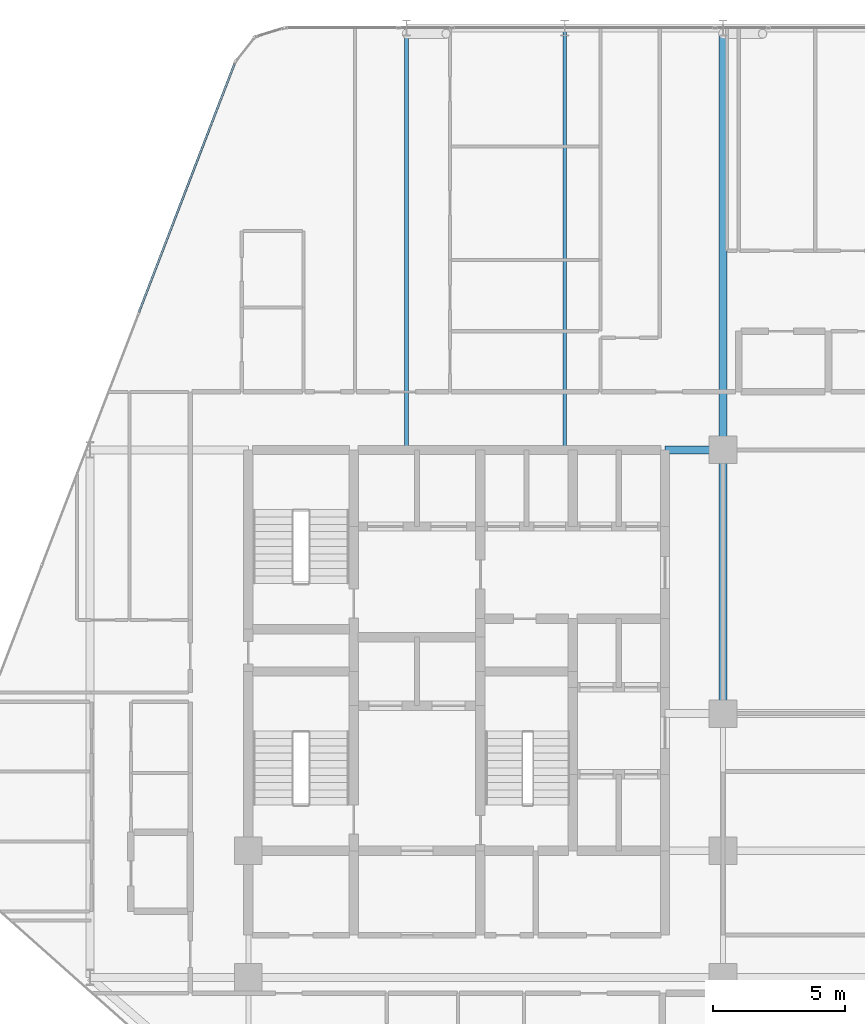
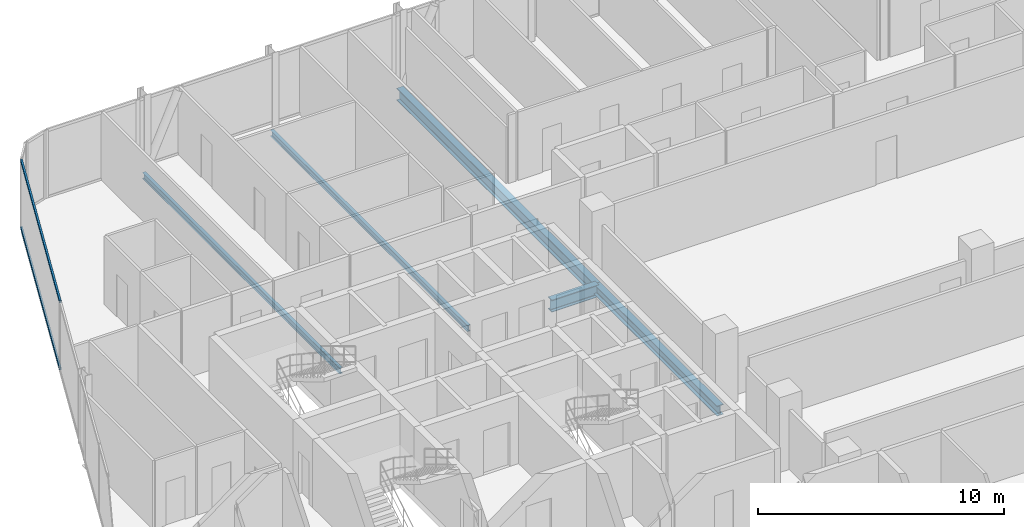
# One storey, part 15 of 30: 5 beams, 2 members, 1 element without a shape of its own.
"""IFC4 building model written with IfcOpenShell, lengths in metres."""

from ifc_helpers import new_model, si_unit, direction, frame, origin, origin_2d, place, context, subcontext, project, spatial, hollow_rectangle, i_section, extrude, material, layer, layer_set, material_profile, profile_set, type_object, element, aggregate, save


model = new_model("IFC4")

# Units and contexts
model_context = context("Model", 3, precision=1e-05, world=origin(), true_north=direction((0.0, 1.0)))
body_context = subcontext(model_context, "Body", "Model", "MODEL_VIEW")
ifc_project = project(units=[si_unit("LENGTHUNIT", "METRE"), si_unit("AREAUNIT", "SQUARE_METRE"), si_unit("VOLUMEUNIT", "CUBIC_METRE"), si_unit("PLANEANGLEUNIT", "RADIAN"), si_unit("MASSUNIT", "GRAM", prefix="KILO")], contexts=[model_context])

# Site, building, storey
site_placement = place(None, origin())
site = spatial("IfcSite", under=ifc_project, at=site_placement, CompositionType="ELEMENT")
building_placement = place(site_placement, origin())
building = spatial("IfcBuilding", under=site, at=building_placement, Name="Keshet Zoharim Tower", CompositionType="ELEMENT")
storey_placement = place(building_placement, frame((0.0, 0.0, 90.89990234375)))
storey = spatial("IfcBuildingStorey", under=building, at=storey_placement, Name="L21", CompositionType="ELEMENT", Elevation=90.89990234375)

# Beams
ifc_material_1 = material(Name="Steel S355", Category="steel")
ifc_material_profile_1 = material_profile(ifc_material_1, i_section(OverallWidth=0.300048828125, OverallDepth=0.60009765625, WebThickness=0.015380859375, FlangeThickness=0.030029296875, FilletRadius=0.027099609375, at=origin_2d()), Name="HEB600")
ifc_profile_set_1 = profile_set([ifc_material_profile_1], Name="Steel S355")
beam_type_1 = type_object("IfcBeamType", Name="BM-CLK-HB600", PredefinedType="BEAM", material=ifc_profile_set_1)
beam_1_placement = place(storey_placement, frame((30.800048828125, 37.89990234375, -0.614990234375), z_axis=(1.0, 0.0, 0.0), x_axis=(0.0, 1.0, 0.0)))
element("IfcBeam", 1, at=beam_1_placement, inside=storey, type_object=beam_type_1, Name="L21 Core Wall Link Girder 03", PredefinedType="BEAM", context=body_context, shape_type="SweptSolid", body=[
    extrude(i_section(OverallWidth=0.300048828125, OverallDepth=0.60009765625, WebThickness=0.015380859375, FlangeThickness=0.030029296875, FilletRadius=0.027099609375, at=origin_2d()), origin(), (0.0, 0.0, 1.0), 2.199951171875),
])
ifc_material_profile_2 = material_profile(ifc_material_1, i_section(OverallWidth=0.14990234375, OverallDepth=0.300048828125, WebThickness=0.007080078125, FlangeThickness=0.0107421875, FilletRadius=0.014892578125, at=origin_2d()), Name="IPE300")
ifc_profile_set_2 = profile_set([ifc_material_profile_2], Name="Steel S355")
beam_type_2 = type_object("IfcBeamType", Name="BM-JST-IP300", PredefinedType="JOIST", material=ifc_profile_set_2)
for number, where, z_axis, x_axis, name in (
    (2, (21.0, 37.89990234375, -0.46484375), (0.0, 1.0, 0.0), (-1.0, 0.0, 0.0), "L21 Secondary Floor Joist J-001"),
    (3, (27.0, 37.89990234375, -0.46484375), (0.0, 1.0, 0.0), (-1.0, 0.0, 0.0), "L21 Secondary Floor Joist J-002"),
):
    element("IfcBeam", number, at=place(storey_placement, frame(where, z_axis=z_axis, x_axis=x_axis)), inside=storey, type_object=beam_type_2, Name=name, PredefinedType="JOIST", context=body_context, shape_type="SweptSolid", body=[
        extrude(i_section(OverallWidth=0.14990234375, OverallDepth=0.300048828125, WebThickness=0.007080078125, FlangeThickness=0.0107421875, FilletRadius=0.014892578125, at=origin_2d()), origin(), (0.0, 0.0, 1.0), 16.0),
    ])
ifc_material_profile_3 = material_profile(ifc_material_1, i_section(OverallWidth=0.300048828125, OverallDepth=0.60009765625, WebThickness=0.015380859375, FlangeThickness=0.030029296875, FilletRadius=0.027099609375, at=origin_2d()), Name="HEB600")
ifc_profile_set_3 = profile_set([ifc_material_profile_3], Name="Steel S355")
beam_type_3 = type_object("IfcBeamType", Name="BM-LNG-HB600", PredefinedType="BEAM", material=ifc_profile_set_3)
beam_2_placement = place(storey_placement, frame((33.0, 37.89990234375, -0.614990234375), z_axis=(0.0, 1.0, 0.0), x_axis=(-1.0, 0.0, 0.0)))
element("IfcBeam", 4, at=beam_2_placement, inside=storey, type_object=beam_type_3, Name="L21 Primary Girder Y-011", PredefinedType="BEAM", context=body_context, shape_type="SweptSolid", body=[
    extrude(i_section(OverallWidth=0.300048828125, OverallDepth=0.60009765625, WebThickness=0.015380859375, FlangeThickness=0.030029296875, FilletRadius=0.027099609375, at=origin_2d()), origin(), (0.0, 0.0, 1.0), 16.0),
])
ifc_material_profile_4 = material_profile(ifc_material_1, i_section(OverallWidth=0.300048828125, OverallDepth=0.5, WebThickness=0.014404296875, FlangeThickness=0.028076171875, FilletRadius=0.027099609375, at=origin_2d()), Name="HEB500")
ifc_profile_set_4 = profile_set([ifc_material_profile_4], Name="Steel S355")
beam_type_4 = type_object("IfcBeamType", Name="BM-MED-HB500", PredefinedType="BEAM", material=ifc_profile_set_4)
beam_3_placement = place(storey_placement, frame((33.0, 27.89990234375, -0.56494140625), z_axis=(0.0, 1.0, 0.0), x_axis=(-1.0, 0.0, 0.0)))
element("IfcBeam", 5, at=beam_3_placement, inside=storey, type_object=beam_type_4, Name="L21 Primary Girder Y-010", PredefinedType="BEAM", context=body_context, shape_type="SweptSolid", body=[
    extrude(i_section(OverallWidth=0.300048828125, OverallDepth=0.5, WebThickness=0.014404296875, FlangeThickness=0.028076171875, FilletRadius=0.027099609375, at=origin_2d()), origin(), (0.0, 0.0, 1.0), 10.0),
])

# Curtain wall, members
ifc_material_2 = material(Name="Aluminium 6063-T6", Category="aluminium")
ifc_layer = layer(ifc_material_2, 0.159912109375)
ifc_layer_set = layer_set([ifc_layer], Name="Aluminium 6063-T6")
curtain_wall_type = type_object("IfcCurtainWallType", Name="CW-SYS-03", PredefinedType="NOTDEFINED", material=ifc_layer_set)
curtain_wall_placement = place(storey_placement, origin())
curtain_wall = element("IfcCurtainWall", 6, at=curtain_wall_placement, inside=storey, type_object=curtain_wall_type, Name="L21 Unitised Curtain Wall 10", PredefinedType="NOTDEFINED")
ifc_material_profile_5 = material_profile(ifc_material_2, hollow_rectangle(XDim=0.080078125, YDim=0.139892578125, WallThickness=0.00390625, at=origin_2d()), Name="TRN-80x140")
ifc_profile_set_5 = profile_set([ifc_material_profile_5], Name="Aluminium 6063-T6")
member_type = type_object("IfcMemberType", Name="CWT-T14", PredefinedType="USERDEFINED", material=ifc_profile_set_5)
member_1_placement = place(storey_placement, frame((10.849609375, 43.10888671875, 0.03515625), z_axis=(0.358985546764, 0.933343118694, 0.0), x_axis=(-0.933343118694, 0.358985546764, 0.0)))
member_1 = element("IfcMember", 7, at=member_1_placement, type_object=member_type, Name="CW-03 transom 3.1", ObjectType="TRANSOM", PredefinedType="USERDEFINED", context=body_context, shape_type="SweptSolid", body=[
    extrude(hollow_rectangle(XDim=0.080078125, YDim=0.139892578125, WallThickness=0.00390625, at=origin_2d()), origin(), (0.0, 0.0, 1.0), 10.118408203125),
])
member_2_placement = place(storey_placement, frame((10.849609375, 43.10888671875, 3.35009765625), z_axis=(0.358985546764, 0.933343118694, 0.0), x_axis=(-0.933343118694, 0.358985546764, 0.0)))
member_2 = element("IfcMember", 8, at=member_2_placement, type_object=member_type, Name="CW-03 transom 3.2", ObjectType="TRANSOM", PredefinedType="USERDEFINED", context=body_context, shape_type="SweptSolid", body=[
    extrude(hollow_rectangle(XDim=0.080078125, YDim=0.139892578125, WallThickness=0.00390625, at=origin_2d()), origin(), (0.0, 0.0, 1.0), 10.118408203125),
])
aggregate(curtain_wall, [member_1, member_2])

save(model, "model.ifc")
